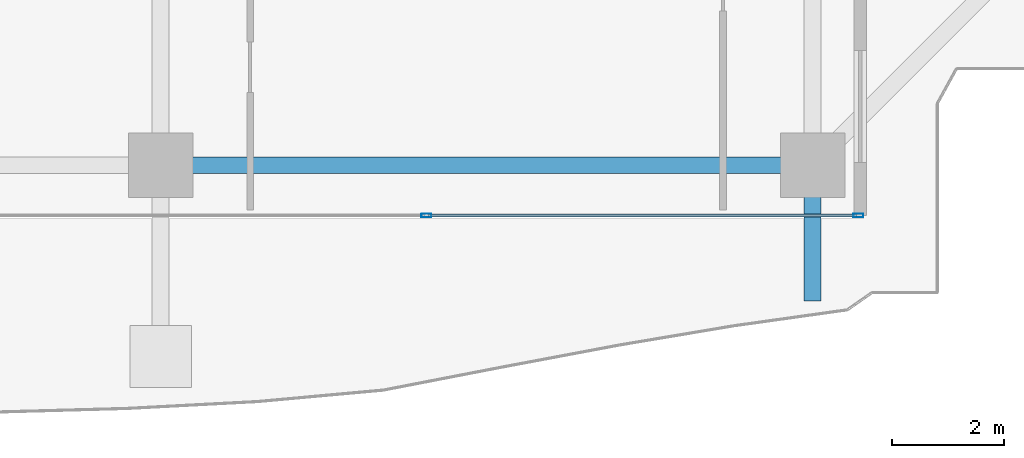
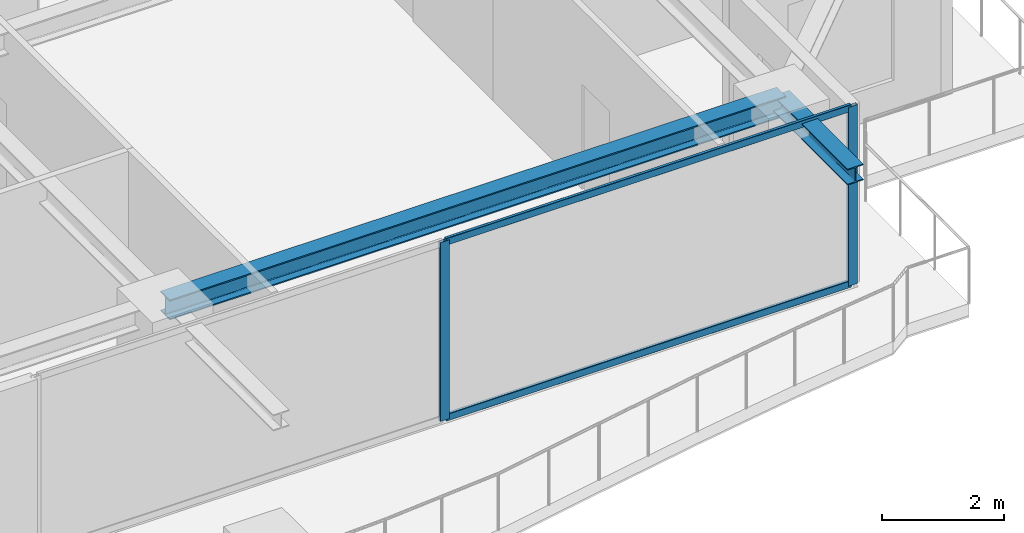
# One storey, part 11 of 35: 4 members, 2 beams, 1 element without a shape of its own.
"""IFC4 building model written with IfcOpenShell, lengths in metres."""

from ifc_helpers import new_model, si_unit, direction, frame, origin, origin_2d, place, context, subcontext, project, spatial, hollow_rectangle, i_section, extrude, source, transform, mapped, material, layer, layer_set, material_profile, profile_set, type_object, element, aggregate, save


model = new_model("IFC4")

# Units and contexts
model_context = context("Model", 3, precision=1e-05, world=origin(), true_north=direction((0.0, 1.0)))
body_context = subcontext(model_context, "Body", "Model", "MODEL_VIEW")
ifc_project = project(units=[si_unit("LENGTHUNIT", "METRE"), si_unit("AREAUNIT", "SQUARE_METRE"), si_unit("VOLUMEUNIT", "CUBIC_METRE"), si_unit("PLANEANGLEUNIT", "RADIAN"), si_unit("MASSUNIT", "GRAM", prefix="KILO")], contexts=[model_context])

# Site, building, storey
site_placement = place(None, origin())
site = spatial("IfcSite", under=ifc_project, at=site_placement, CompositionType="ELEMENT")
building_placement = place(site_placement, origin())
building = spatial("IfcBuilding", under=site, at=building_placement, Name="Serunith Strait Residences", CompositionType="ELEMENT")
storey_placement = place(building_placement, frame((0.0, 0.0, 210.449951171875)))
storey = spatial("IfcBuildingStorey", under=building, at=storey_placement, Name="L52", CompositionType="ELEMENT", Elevation=210.449951171875)

# Beams
ifc_material_1 = material(Name="Steel S355J2", Category="steel")
ifc_material_profile_1 = material_profile(ifc_material_1, i_section(OverallWidth=0.300048828125, OverallDepth=0.39990234375, WebThickness=0.013427734375, FlangeThickness=0.02392578125, FilletRadius=0.027099609375, at=origin_2d()), Name="HEB 400")
ifc_profile_set_1 = profile_set([ifc_material_profile_1], Name="Steel S355J2")
beam_type_1 = type_object("IfcBeamType", Name="BM-HEB400", PredefinedType="BEAM", material=ifc_profile_set_1)
shared_shape_1 = source(origin(), body_context, "Body", "SweptSolid", [
    extrude(i_section(OverallWidth=0.300048828125, OverallDepth=0.39990234375, WebThickness=0.013427734375, FlangeThickness=0.02392578125, FilletRadius=0.027099609375, at=origin_2d()), origin(), (0.0, 0.0, 1.0), 11.650146484375),
])
beam_1_placement = place(storey_placement, frame((36.89990234375, 2.10009765625, 3.386962890625), z_axis=(1.0, 0.0, 0.0), x_axis=(0.0, 1.0, 0.0)))
element("IfcBeam", 1, at=beam_1_placement, inside=storey, type_object=beam_type_1, Name="L52 Perimeter Ring Beam 03", PredefinedType="BEAM", context=body_context, shape_type="MappedRepresentation", body=[
    mapped(shared_shape_1, transform((0.0, 0.0, 0.0), scale=1.0)),
])
ifc_material_profile_2 = material_profile(ifc_material_1, i_section(OverallWidth=0.300048828125, OverallDepth=0.320068359375, WebThickness=0.011474609375, FlangeThickness=0.0205078125, FilletRadius=0.027099609375, at=origin_2d()), Name="HEB 320")
ifc_profile_set_2 = profile_set([ifc_material_profile_2], Name="Steel S355J2")
beam_type_2 = type_object("IfcBeamType", Name="BM-HEB320", PredefinedType="BEAM", material=ifc_profile_set_2)
shared_shape_2 = source(origin(), body_context, "Body", "SweptSolid", [
    extrude(i_section(OverallWidth=0.300048828125, OverallDepth=0.320068359375, WebThickness=0.011474609375, FlangeThickness=0.0205078125, FilletRadius=0.027099609375, at=origin_2d()), origin(), (0.0, 0.0, 1.0), 2.425537109375),
])
beam_2_placement = place(storey_placement, frame((48.550048828125, 2.10009765625, 3.39697265625), z_axis=(0.0, -1.0, 0.0), x_axis=(1.0, 0.0, 0.0)))
element("IfcBeam", 2, at=beam_2_placement, inside=storey, type_object=beam_type_2, Name="L53 Cantilevered Balcony Rib TC-S4", PredefinedType="BEAM", context=body_context, shape_type="MappedRepresentation", body=[
    mapped(shared_shape_2, transform((0.0, 0.0, 0.0), scale=1.0)),
])

# Curtain wall, members
ifc_material_2 = material(Name="Pale-Champagne Anodised Aluminium", Category="aluminium")
ifc_layer = layer(ifc_material_2, 0.199951171875, Name="Pale-Champagne Anodised Aluminium")
ifc_layer_set = layer_set([ifc_layer], Name="Pale-Champagne Anodised Aluminium")
curtain_wall_type = type_object("IfcCurtainWallType", Name="CW-SYS4", PredefinedType="NOTDEFINED", material=ifc_layer_set)
curtain_wall_placement = place(storey_placement, origin())
curtain_wall = element("IfcCurtainWall", 3, at=curtain_wall_placement, inside=storey, type_object=curtain_wall_type, Name="L52 S Unitised Fritted Curtain Wall", PredefinedType="NOTDEFINED")
ifc_material_profile_3 = material_profile(ifc_material_2, hollow_rectangle(XDim=0.06494140625, YDim=0.179931640625, WallThickness=0.00341796875, InnerFilletRadius=0.00537109375, OuterFilletRadius=0.0087890625, at=origin_2d()), Name="ALU 180x65x3.5")
ifc_profile_set_3 = profile_set([ifc_material_profile_3], Name="Pale-Champagne Anodised Aluminium")
member_type_1 = type_object("IfcMemberType", Name="CW-SYS4-MULL", PredefinedType="MULLION", material=ifc_profile_set_3)
shared_shape_3 = source(origin(), body_context, "Body", "SweptSolid", [
    extrude(hollow_rectangle(XDim=0.06494140625, YDim=0.179931640625, WallThickness=0.00341796875, InnerFilletRadius=0.00537109375, OuterFilletRadius=0.0087890625, at=origin_2d()), origin(), (0.0, 0.0, 1.0), 3.574951171875),
])
member_1_placement = place(storey_placement, frame((41.64990234375, 1.199951171875, 0.0), z_axis=(0.0, 0.0, 1.0), x_axis=(0.0, 1.0, 0.0)))
member_1 = element("IfcMember", 4, at=member_1_placement, type_object=member_type_1, Name="CW-4 mullion 2", PredefinedType="MULLION", context=body_context, shape_type="MappedRepresentation", body=[
    mapped(shared_shape_3, transform((0.0, 0.0, 0.0), scale=1.0)),
])
member_2_placement = place(storey_placement, frame((49.367431640625, 1.199951171875, 0.0), z_axis=(0.0, 0.0, 1.0), x_axis=(0.0, 1.0, 0.0)))
member_2 = element("IfcMember", 5, at=member_2_placement, type_object=member_type_1, Name="CW-4 mullion 3", PredefinedType="MULLION", context=body_context, shape_type="MappedRepresentation", body=[
    mapped(shared_shape_3, transform((0.0, 0.0, 0.0), scale=1.0)),
])
ifc_material_profile_4 = material_profile(ifc_material_2, hollow_rectangle(XDim=0.06005859375, YDim=0.139892578125, WallThickness=0.00341796875, InnerFilletRadius=0.00537109375, OuterFilletRadius=0.0087890625, at=origin_2d()), Name="ALU 140x60x3.5")
ifc_profile_set_4 = profile_set([ifc_material_profile_4], Name="Pale-Champagne Anodised Aluminium")
member_type_2 = type_object("IfcMemberType", Name="CW-SYS4-TRAN", PredefinedType="USERDEFINED", material=ifc_profile_set_4)
shared_shape_4 = source(origin(), body_context, "Body", "SweptSolid", [
    extrude(hollow_rectangle(XDim=0.06005859375, YDim=0.139892578125, WallThickness=0.00341796875, InnerFilletRadius=0.00537109375, OuterFilletRadius=0.0087890625, at=origin_2d()), origin(), (0.0, 0.0, 1.0), 7.65234375),
])
member_3_placement = place(storey_placement, frame((41.6826171875, 1.199951171875, 0.030029296875), z_axis=(1.0, 0.0, 0.0), x_axis=(0.0, 1.0, 0.0)))
member_3 = element("IfcMember", 6, at=member_3_placement, type_object=member_type_2, Name="CW-4 transom 2.1", ObjectType="TRANSOM", PredefinedType="USERDEFINED", context=body_context, shape_type="MappedRepresentation", body=[
    mapped(shared_shape_4, transform((0.0, 0.0, 0.0), scale=1.0)),
])
member_4_placement = place(storey_placement, frame((41.6826171875, 1.199951171875, 3.545166015625), z_axis=(1.0, 0.0, 0.0), x_axis=(0.0, 1.0, 0.0)))
member_4 = element("IfcMember", 7, at=member_4_placement, type_object=member_type_2, Name="CW-4 transom 2.2", ObjectType="TRANSOM", PredefinedType="USERDEFINED", context=body_context, shape_type="MappedRepresentation", body=[
    mapped(shared_shape_4, transform((0.0, 0.0, 0.0), scale=1.0)),
])
aggregate(curtain_wall, [member_1, member_2, member_3, member_4])

save(model, "model.ifc")
